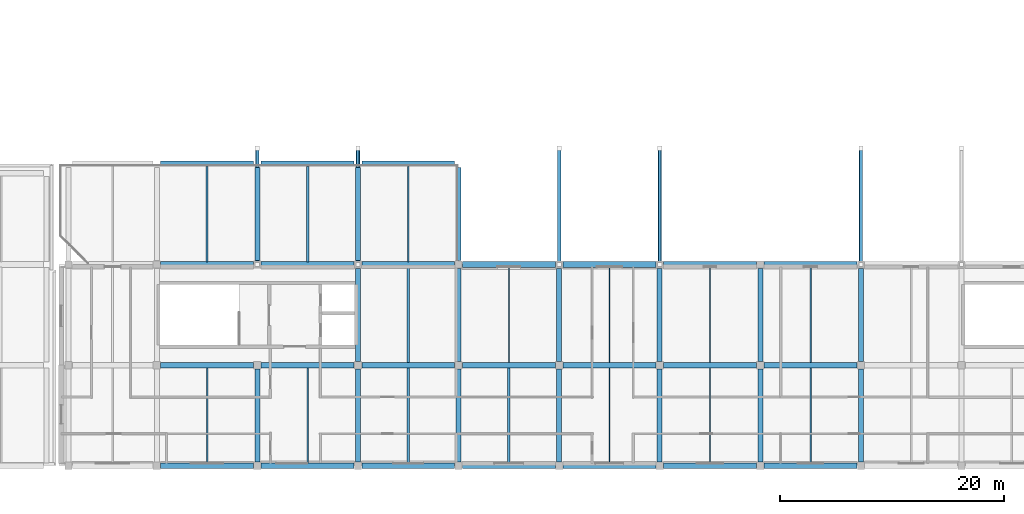
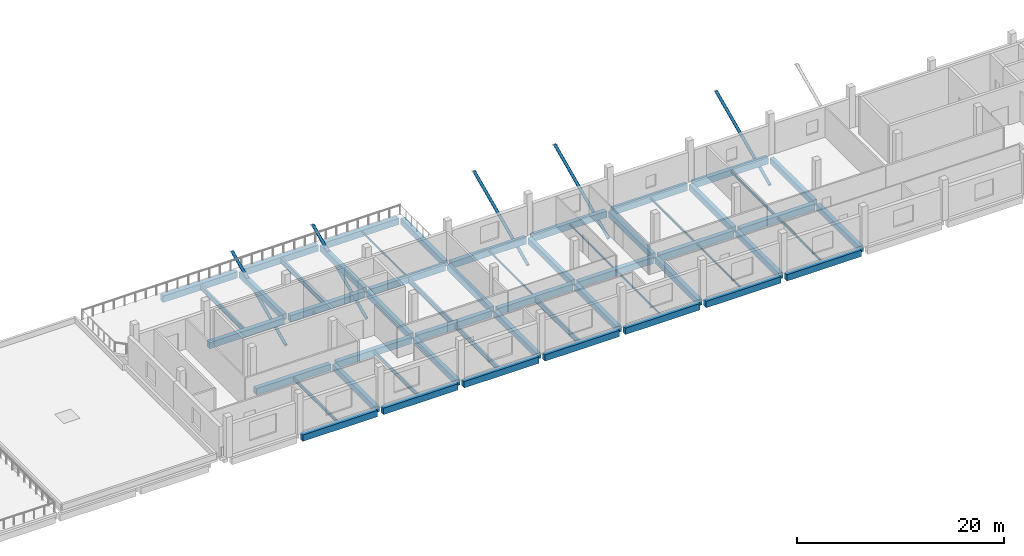
# One storey, part 13 of 82: 55 beams, 5 members.
"""IFC4 building model written with IfcOpenShell, lengths in metres."""

from ifc_helpers import new_model, si_unit, direction, frame, origin, origin_2d, place, context, subcontext, project, spatial, rectangle, hollow_rectangle, hollow_circle, i_section, extrude, material, material_profile, profile_set, type_object, element, save


model = new_model("IFC4")

# Units and contexts
model_context = context("Model", 3, precision=1e-05, world=origin(), true_north=direction((0.0, 1.0)))
body_context = subcontext(model_context, "Body", "Model", "MODEL_VIEW")
ifc_project = project(units=[si_unit("LENGTHUNIT", "METRE"), si_unit("AREAUNIT", "SQUARE_METRE"), si_unit("VOLUMEUNIT", "CUBIC_METRE"), si_unit("PLANEANGLEUNIT", "RADIAN"), si_unit("MASSUNIT", "GRAM", prefix="KILO"), si_unit("THERMODYNAMICTEMPERATUREUNIT", "KELVIN"), si_unit("POWERUNIT", "WATT")], contexts=[model_context])

# Site, building, storey
site_placement = place(None, origin())
site = spatial("IfcSite", under=ifc_project, at=site_placement, CompositionType="ELEMENT")
building_placement = place(site_placement, origin())
building = spatial("IfcBuilding", under=site, at=building_placement, Name="Sindhuravela Promenade Stadium", CompositionType="ELEMENT")
storey_placement = place(building_placement, frame((0.0, 0.0, 14.39990234375)))
storey = spatial("IfcBuildingStorey", under=building, at=storey_placement, Name="L03", CompositionType="ELEMENT", Elevation=14.39990234375)

# Beams
ifc_material_1 = material(Name="Concrete M40", Category="concrete")
ifc_material_profile_1 = material_profile(ifc_material_1, rectangle(XDim=0.449951171875, YDim=0.699951171875, at=origin_2d()), Name="RC 450x700")
ifc_profile_set_1 = profile_set([ifc_material_profile_1], Name="Concrete M40")
beam_type_1 = type_object("IfcBeamType", Name="RC-BM-450x700", PredefinedType="BEAM", material=ifc_profile_set_1)
for number, where, z_axis, x_axis, name in (
    (1, (72.0, 9.340087890625, -0.64990234375), (0.0, 1.0, 0.0), (-1.0, 0.0, 0.0), "Primary beam GB07 SOUTH L03"),
    (2, (72.0, 27.340087890625, -0.659912109375), (0.0, 1.0, 0.0), (-1.0, 0.0, 0.0), "Primary beam GB07 SOUTH L03"),
    (3, (81.0, 9.340087890625, -0.64990234375), (0.0, 1.0, 0.0), (-1.0, 0.0, 0.0), "Primary beam GB07 SOUTH L03"),
    (4, (81.0, 18.340087890625, -0.64990234375), (0.0, 1.0, 0.0), (-1.0, 0.0, 0.0), "Primary beam GB07 SOUTH L03"),
    (5, (81.0, 27.340087890625, -0.659912109375), (0.0, 1.0, 0.0), (-1.0, 0.0, 0.0), "Primary beam GB07 SOUTH L03"),
    (6, (90.0, 9.340087890625, -0.64990234375), (0.0, 1.0, 0.0), (-1.0, 0.0, 0.0), "Primary beam GB07 SOUTH L03"),
    (7, (90.0, 18.340087890625, -0.64990234375), (0.0, 1.0, 0.0), (-1.0, 0.0, 0.0), "Primary beam GB07 SOUTH L03"),
    (8, (90.0, 27.340087890625, -0.659912109375), (0.0, 1.0, 0.0), (-1.0, 0.0, 0.0), "Primary beam GB07 SOUTH L03"),
    (9, (99.0, 9.340087890625, -0.64990234375), (0.0, 1.0, 0.0), (-1.0, 0.0, 0.0), "Primary beam GB07 SOUTH L03"),
    (10, (99.0, 18.340087890625, -0.64990234375), (0.0, 1.0, 0.0), (-1.0, 0.0, 0.0), "Primary beam GB07 SOUTH L03"),
    (11, (108.0, 9.340087890625, -0.64990234375), (0.0, 1.0, 0.0), (-1.0, 0.0, 0.0), "Primary beam GB07 SOUTH L03"),
    (12, (108.0, 18.340087890625, -0.64990234375), (0.0, 1.0, 0.0), (-1.0, 0.0, 0.0), "Primary beam GB07 SOUTH L03"),
    (13, (117.0, 9.340087890625, -0.64990234375), (0.0, 1.0, 0.0), (-1.0, 0.0, 0.0), "Primary beam GB07 SOUTH L03"),
    (14, (117.0, 18.340087890625, -0.64990234375), (0.0, 1.0, 0.0), (-1.0, 0.0, 0.0), "Primary beam GB07 SOUTH L03"),
    (15, (126.0, 9.340087890625, -0.64990234375), (0.0, 1.0, 0.0), (-1.0, 0.0, 0.0), "Primary beam GB07 SOUTH L03"),
    (16, (126.0, 18.340087890625, -0.64990234375), (0.0, 1.0, 0.0), (-1.0, 0.0, 0.0), "Primary beam GB07 SOUTH L03"),
):
    element("IfcBeam", number, at=place(storey_placement, frame(where, z_axis=z_axis, x_axis=x_axis)), inside=storey, type_object=beam_type_1, Name=name, PredefinedType="BEAM", context=body_context, shape_type="SweptSolid", body=[
        extrude(rectangle(XDim=0.449951171875, YDim=0.699951171875, at=origin_2d()), origin(), (0.0, 0.0, 1.0), 8.31982421875),
    ])
ifc_material_profile_2 = material_profile(ifc_material_1, rectangle(XDim=0.5, YDim=0.75, at=origin_2d()), Name="RC 500x750")
ifc_profile_set_2 = profile_set([ifc_material_profile_2], Name="Concrete M40")
beam_type_2 = type_object("IfcBeamType", Name="RC-BM-500x750", PredefinedType="BEAM", material=ifc_profile_set_2)
for number, where, z_axis, x_axis, name in (
    (17, (63.340087890625, 9.0, -0.6748046875), (1.0, 0.0, 0.0), (0.0, 1.0, 0.0), "Primary girder GB06 SOUTH L03"),
    (18, (72.340087890625, 9.0, -0.6748046875), (1.0, 0.0, 0.0), (0.0, 1.0, 0.0), "Primary girder GB06 SOUTH L03"),
    (19, (81.340087890625, 9.0, -0.6748046875), (1.0, 0.0, 0.0), (0.0, 1.0, 0.0), "Primary girder GB06 SOUTH L03"),
    (20, (90.340087890625, 9.0, -0.6748046875), (1.0, 0.0, 0.0), (0.0, 1.0, 0.0), "Primary girder GB06 SOUTH L03"),
    (21, (99.340087890625, 9.0, -0.6748046875), (1.0, 0.0, 0.0), (0.0, 1.0, 0.0), "Primary girder GB06 SOUTH L03"),
    (22, (108.340087890625, 9.0, -0.6748046875), (1.0, 0.0, 0.0), (0.0, 1.0, 0.0), "Primary girder GB06 SOUTH L03"),
    (23, (117.340087890625, 9.0, -0.6748046875), (1.0, 0.0, 0.0), (0.0, 1.0, 0.0), "Primary girder GB06 SOUTH L03"),
    (24, (63.340087890625, 18.0, -0.6748046875), (1.0, 0.0, 0.0), (0.0, 1.0, 0.0), "Primary girder GB06 SOUTH L03"),
    (25, (72.340087890625, 18.0, -0.6748046875), (1.0, 0.0, 0.0), (0.0, 1.0, 0.0), "Primary girder GB06 SOUTH L03"),
    (26, (81.340087890625, 18.0, -0.6748046875), (1.0, 0.0, 0.0), (0.0, 1.0, 0.0), "Primary girder GB06 SOUTH L03"),
    (27, (90.340087890625, 18.0, -0.6748046875), (1.0, 0.0, 0.0), (0.0, 1.0, 0.0), "Primary girder GB06 SOUTH L03"),
    (28, (99.340087890625, 18.0, -0.6748046875), (1.0, 0.0, 0.0), (0.0, 1.0, 0.0), "Primary girder GB06 SOUTH L03"),
    (29, (108.340087890625, 18.0, -0.6748046875), (1.0, 0.0, 0.0), (0.0, 1.0, 0.0), "Primary girder GB06 SOUTH L03"),
    (30, (117.340087890625, 18.0, -0.6748046875), (1.0, 0.0, 0.0), (0.0, 1.0, 0.0), "Primary girder GB06 SOUTH L03"),
    (31, (63.340087890625, 27.0, -0.684814453125), (1.0, 0.0, 0.0), (0.0, 1.0, 0.0), "Primary girder GB06 SOUTH L03"),
    (32, (72.340087890625, 27.0, -0.684814453125), (1.0, 0.0, 0.0), (0.0, 1.0, 0.0), "Primary girder GB06 SOUTH L03"),
    (33, (81.340087890625, 27.0, -0.684814453125), (1.0, 0.0, 0.0), (0.0, 1.0, 0.0), "Primary girder GB06 SOUTH L03"),
    (34, (90.340087890625, 27.0, -0.6748046875), (1.0, 0.0, 0.0), (0.0, 1.0, 0.0), "Primary girder GB06 SOUTH L03"),
    (35, (99.340087890625, 27.0, -0.6748046875), (1.0, 0.0, 0.0), (0.0, 1.0, 0.0), "Primary girder GB06 SOUTH L03"),
    (36, (108.340087890625, 27.0, -0.6748046875), (1.0, 0.0, 0.0), (0.0, 1.0, 0.0), "Primary girder GB06 SOUTH L03"),
    (37, (117.340087890625, 27.0, -0.6748046875), (1.0, 0.0, 0.0), (0.0, 1.0, 0.0), "Primary girder GB06 SOUTH L03"),
    (38, (63.340087890625, 36.0, -0.684814453125), (1.0, 0.0, 0.0), (0.0, 1.0, 0.0), "Primary girder GB06 SOUTH L03"),
    (39, (72.340087890625, 36.0, -0.684814453125), (1.0, 0.0, 0.0), (0.0, 1.0, 0.0), "Primary girder GB06 SOUTH L03"),
    (40, (81.340087890625, 36.0, -0.684814453125), (1.0, 0.0, 0.0), (0.0, 1.0, 0.0), "Primary girder GB06 SOUTH L03"),
):
    element("IfcBeam", number, at=place(storey_placement, frame(where, z_axis=z_axis, x_axis=x_axis)), inside=storey, type_object=beam_type_2, Name=name, PredefinedType="BEAM", context=body_context, shape_type="SweptSolid", body=[
        extrude(rectangle(XDim=0.5, YDim=0.75, at=origin_2d()), origin(), (0.0, 0.0, 1.0), 8.31982421875),
    ])
ifc_material_2 = material(Name="Steel E350 (IS 2062 E350BR)", Category="steel")
ifc_material_profile_3 = material_profile(ifc_material_2, hollow_rectangle(XDim=0.10009765625, YDim=0.199951171875, WallThickness=0.008056640625, at=origin_2d()), Name="RHS 200x100x8")
ifc_profile_set_3 = profile_set([ifc_material_profile_3], Name="Steel E350 (IS 2062 E350BR)")
beam_type_3 = type_object("IfcBeamType", Name="ST-BM-LNT200", PredefinedType="LINTEL", material=ifc_profile_set_3)
for number, where, z_axis, x_axis, name in (
    (41, (103.5, 9.239990234375, -0.39990234375), (0.0, 1.0, 0.0), (-1.0, 0.0, 0.0), "Secondary floor joist LN01 SOUTH L03"),
    (42, (94.5, 18.239990234375, -0.39990234375), (0.0, 1.0, 0.0), (-1.0, 0.0, 0.0), "Secondary floor joist LN01 SOUTH L03"),
    (43, (85.5, 27.239990234375, -0.409912109375), (0.0, 1.0, 0.0), (-1.0, 0.0, 0.0), "Secondary floor joist LN01 SOUTH L03"),
):
    element("IfcBeam", number, at=place(storey_placement, frame(where, z_axis=z_axis, x_axis=x_axis)), inside=storey, type_object=beam_type_3, Name=name, PredefinedType="LINTEL", context=body_context, shape_type="SweptSolid", body=[
        extrude(hollow_rectangle(XDim=0.10009765625, YDim=0.199951171875, WallThickness=0.008056640625, at=origin_2d()), origin(), (0.0, 0.0, 1.0), 8.52001953125),
    ])
ifc_material_profile_4 = material_profile(ifc_material_2, i_section(OverallWidth=0.10009765625, OverallDepth=0.199951171875, WebThickness=0.005615234375, FlangeThickness=0.0107421875, FilletRadius=0.010986328125, at=origin_2d()), Name="ISMB 200")
ifc_profile_set_4 = profile_set([ifc_material_profile_4], Name="Steel E350 (IS 2062 E350BR)")
beam_type_4 = type_object("IfcBeamType", Name="ST-BM-MB200", PredefinedType="JOIST", material=ifc_profile_set_4)
for number, where, z_axis, x_axis, name in (
    (44, (112.5, 9.239990234375, -0.39990234375), (0.0, 1.0, 0.0), (-1.0, 0.0, 0.0), "Secondary floor joist SB01 SOUTH L03"),
    (45, (103.5, 18.239990234375, -0.39990234375), (0.0, 1.0, 0.0), (-1.0, 0.0, 0.0), "Secondary floor joist SB01 SOUTH L03"),
):
    element("IfcBeam", number, at=place(storey_placement, frame(where, z_axis=z_axis, x_axis=x_axis)), inside=storey, type_object=beam_type_4, Name=name, PredefinedType="JOIST", context=body_context, shape_type="SweptSolid", body=[
        extrude(i_section(OverallWidth=0.10009765625, OverallDepth=0.199951171875, WebThickness=0.005615234375, FlangeThickness=0.0107421875, FilletRadius=0.010986328125, at=origin_2d()), origin(), (0.0, 0.0, 1.0), 8.52001953125),
    ])
ifc_material_profile_5 = material_profile(ifc_material_2, i_section(OverallWidth=0.125, OverallDepth=0.25, WebThickness=0.0068359375, FlangeThickness=0.012451171875, FilletRadius=0.012939453125, at=origin_2d()), Name="ISMB 250")
ifc_profile_set_5 = profile_set([ifc_material_profile_5], Name="Steel E350 (IS 2062 E350BR)")
beam_type_5 = type_object("IfcBeamType", Name="ST-BM-MB250", PredefinedType="JOIST", material=ifc_profile_set_5)
for number, where, z_axis, x_axis, name in (
    (46, (121.5, 9.239990234375, -0.4248046875), (0.0, 1.0, 0.0), (-1.0, 0.0, 0.0), "Secondary floor joist SB02 SOUTH L03"),
    (47, (112.5, 18.239990234375, -0.4248046875), (0.0, 1.0, 0.0), (-1.0, 0.0, 0.0), "Secondary floor joist SB02 SOUTH L03"),
):
    element("IfcBeam", number, at=place(storey_placement, frame(where, z_axis=z_axis, x_axis=x_axis)), inside=storey, type_object=beam_type_5, Name=name, PredefinedType="JOIST", context=body_context, shape_type="SweptSolid", body=[
        extrude(i_section(OverallWidth=0.125, OverallDepth=0.25, WebThickness=0.0068359375, FlangeThickness=0.012451171875, FilletRadius=0.012939453125, at=origin_2d()), origin(), (0.0, 0.0, 1.0), 8.52001953125),
    ])
ifc_material_profile_6 = material_profile(ifc_material_2, i_section(OverallWidth=0.139892578125, OverallDepth=0.300048828125, WebThickness=0.0078125, FlangeThickness=0.01318359375, FilletRadius=0.013916015625, at=origin_2d()), Name="ISMB 300")
ifc_profile_set_6 = profile_set([ifc_material_profile_6], Name="Steel E350 (IS 2062 E350BR)")
beam_type_6 = type_object("IfcBeamType", Name="ST-BM-MB300", PredefinedType="JOIST", material=ifc_profile_set_6)
beam_1_placement = place(storey_placement, frame((121.5, 18.239990234375, -0.449951171875), z_axis=(0.0, 1.0, 0.0), x_axis=(-1.0, 0.0, 0.0)))
element("IfcBeam", 48, at=beam_1_placement, inside=storey, type_object=beam_type_6, Name="Secondary floor joist SB03 SOUTH L03", PredefinedType="JOIST", context=body_context, shape_type="SweptSolid", body=[
    extrude(i_section(OverallWidth=0.139892578125, OverallDepth=0.300048828125, WebThickness=0.0078125, FlangeThickness=0.01318359375, FilletRadius=0.013916015625, at=origin_2d()), origin(), (0.0, 0.0, 1.0), 8.52001953125),
])
ifc_material_profile_7 = material_profile(ifc_material_2, i_section(OverallWidth=0.139892578125, OverallDepth=0.39990234375, WebThickness=0.0087890625, FlangeThickness=0.01611328125, FilletRadius=0.013916015625, at=origin_2d()), Name="ISMB 400")
ifc_profile_set_7 = profile_set([ifc_material_profile_7], Name="Steel E350 (IS 2062 E350BR)")
beam_type_7 = type_object("IfcBeamType", Name="ST-BM-MB400", PredefinedType="BEAM", material=ifc_profile_set_7)
beam_2_placement = place(storey_placement, frame((67.5, 9.239990234375, -0.5), z_axis=(0.0, 1.0, 0.0), x_axis=(-1.0, 0.0, 0.0)))
element("IfcBeam", 49, at=beam_2_placement, inside=storey, type_object=beam_type_7, Name="Secondary floor joist SB05 SOUTH L03", PredefinedType="BEAM", context=body_context, shape_type="SweptSolid", body=[
    extrude(i_section(OverallWidth=0.139892578125, OverallDepth=0.39990234375, WebThickness=0.0087890625, FlangeThickness=0.01611328125, FilletRadius=0.013916015625, at=origin_2d()), origin(), (0.0, 0.0, 1.0), 8.52001953125),
])
ifc_material_profile_8 = material_profile(ifc_material_2, i_section(OverallWidth=0.14990234375, OverallDepth=0.449951171875, WebThickness=0.009521484375, FlangeThickness=0.017333984375, FilletRadius=0.014892578125, at=origin_2d()), Name="ISMB 450")
ifc_profile_set_8 = profile_set([ifc_material_profile_8], Name="Steel E350 (IS 2062 E350BR)")
beam_type_8 = type_object("IfcBeamType", Name="ST-BM-MB450", PredefinedType="BEAM", material=ifc_profile_set_8)
beam_3_placement = place(storey_placement, frame((76.5, 9.239990234375, -0.52490234375), z_axis=(0.0, 1.0, 0.0), x_axis=(-1.0, 0.0, 0.0)))
element("IfcBeam", 50, at=beam_3_placement, inside=storey, type_object=beam_type_8, Name="Secondary floor joist SB06 SOUTH L03", PredefinedType="BEAM", context=body_context, shape_type="SweptSolid", body=[
    extrude(i_section(OverallWidth=0.14990234375, OverallDepth=0.449951171875, WebThickness=0.009521484375, FlangeThickness=0.017333984375, FilletRadius=0.014892578125, at=origin_2d()), origin(), (0.0, 0.0, 1.0), 8.52001953125),
])
ifc_material_profile_9 = material_profile(ifc_material_2, i_section(OverallWidth=0.18994140625, OverallDepth=0.550048828125, WebThickness=0.01123046875, FlangeThickness=0.019287109375, FilletRadius=0.01806640625, at=origin_2d()), Name="ISMB 550")
ifc_profile_set_9 = profile_set([ifc_material_profile_9], Name="Steel E350 (IS 2062 E350BR)")
beam_type_9 = type_object("IfcBeamType", Name="ST-BM-MB550", PredefinedType="SPANDREL", material=ifc_profile_set_9)
for number, where, z_axis, x_axis, name in (
    (51, (85.5, 9.239990234375, -0.574951171875), (0.0, 1.0, 0.0), (-1.0, 0.0, 0.0), "Secondary floor joist SB08 SOUTH L03"),
    (52, (67.5, 27.239990234375, -0.5849609375), (0.0, 1.0, 0.0), (-1.0, 0.0, 0.0), "Secondary floor joist SB08 SOUTH L03"),
):
    element("IfcBeam", number, at=place(storey_placement, frame(where, z_axis=z_axis, x_axis=x_axis)), inside=storey, type_object=beam_type_9, Name=name, PredefinedType="SPANDREL", context=body_context, shape_type="SweptSolid", body=[
        extrude(i_section(OverallWidth=0.18994140625, OverallDepth=0.550048828125, WebThickness=0.01123046875, FlangeThickness=0.019287109375, FilletRadius=0.01806640625, at=origin_2d()), origin(), (0.0, 0.0, 1.0), 8.52001953125),
    ])
ifc_material_profile_10 = material_profile(ifc_material_2, i_section(OverallWidth=0.2099609375, OverallDepth=0.60009765625, WebThickness=0.011962890625, FlangeThickness=0.020751953125, FilletRadius=0.02001953125, at=origin_2d()), Name="ISMB 600")
ifc_profile_set_10 = profile_set([ifc_material_profile_10], Name="Steel E350 (IS 2062 E350BR)")
beam_type_10 = type_object("IfcBeamType", Name="ST-BM-MB600", PredefinedType="BEAM", material=ifc_profile_set_10)
for number, where, z_axis, x_axis, name in (
    (53, (94.5, 9.239990234375, -0.599853515625), (0.0, 1.0, 0.0), (-1.0, 0.0, 0.0), "Secondary floor joist SB09 SOUTH L03"),
    (54, (85.5, 18.239990234375, -0.599853515625), (0.0, 1.0, 0.0), (-1.0, 0.0, 0.0), "Secondary floor joist SB09 SOUTH L03"),
    (55, (76.5, 27.239990234375, -0.60986328125), (0.0, 1.0, 0.0), (-1.0, 0.0, 0.0), "Secondary floor joist SB09 SOUTH L03"),
):
    element("IfcBeam", number, at=place(storey_placement, frame(where, z_axis=z_axis, x_axis=x_axis)), inside=storey, type_object=beam_type_10, Name=name, PredefinedType="BEAM", context=body_context, shape_type="SweptSolid", body=[
        extrude(i_section(OverallWidth=0.2099609375, OverallDepth=0.60009765625, WebThickness=0.011962890625, FlangeThickness=0.020751953125, FilletRadius=0.02001953125, at=origin_2d()), origin(), (0.0, 0.0, 1.0), 8.52001953125),
    ])

# Members
ifc_material_profile_11 = material_profile(ifc_material_2, hollow_circle(Radius=0.161865234375, WallThickness=0.011962890625, at=origin_2d()), Name="CHS 323.9x12")
ifc_profile_set_11 = profile_set([ifc_material_profile_11], Name="Steel E350 (IS 2062 E350BR)")
member_type = type_object("IfcMemberType", Name="ST-MB-CHS324", PredefinedType="STRUT", material=ifc_profile_set_11)
for number, where, z_axis, x_axis, name in (
    (56, (72.0, 27.0, -3.7998046875), (0.0, 0.9096146847750655, 0.41545291579378546), (-1.0, 0.0, 0.0), "Upper raker prop strut MS01 STRUT-T2-S-071"),
    (57, (81.0, 27.0, -3.7998046875), (0.0, 0.9096146847750655, 0.41545291579378546), (-1.0, 0.0, 0.0), "Upper raker prop strut MS01 STRUT-T2-S-073"),
    (58, (99.0, 27.0, -3.7998046875), (0.0, 0.9096146847750655, 0.41545291579378546), (-1.0, 0.0, 0.0), "Upper raker prop strut MS01 STRUT-T2-S-075"),
    (59, (108.0, 27.0, -3.7998046875), (0.0, 0.9096146847750655, 0.41545291579378546), (-1.0, 0.0, 0.0), "Upper raker prop strut MS01 STRUT-T2-S-077"),
    (60, (126.0, 27.0, -3.7998046875), (0.0, 0.9096146847750655, 0.41545291579378546), (-1.0, 0.0, 0.0), "Upper raker prop strut MS01 STRUT-T2-S-079"),
):
    element("IfcMember", number, at=place(storey_placement, frame(where, z_axis=z_axis, x_axis=x_axis)), inside=storey, type_object=member_type, Name=name, PredefinedType="STRUT", context=body_context, shape_type="SweptSolid", body=[
        extrude(hollow_circle(Radius=0.161865234375, WallThickness=0.011962890625, at=origin_2d()), origin(), (0.0, 0.0, 1.0), 11.433349609375),
    ])

save(model, "model.ifc")
